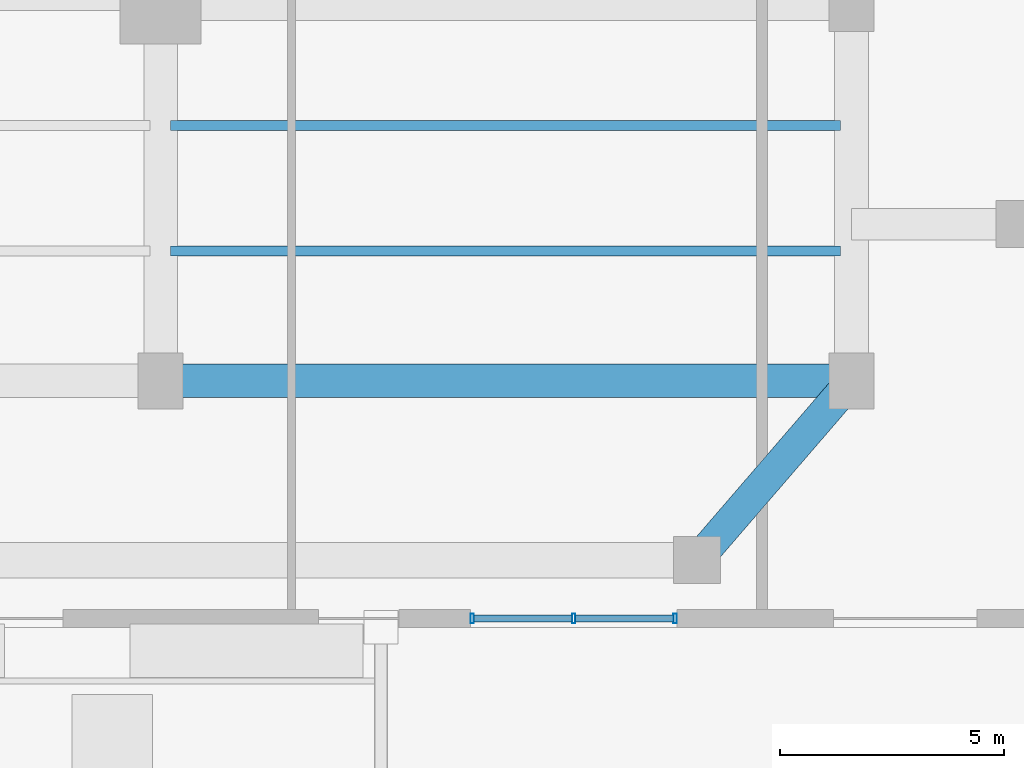
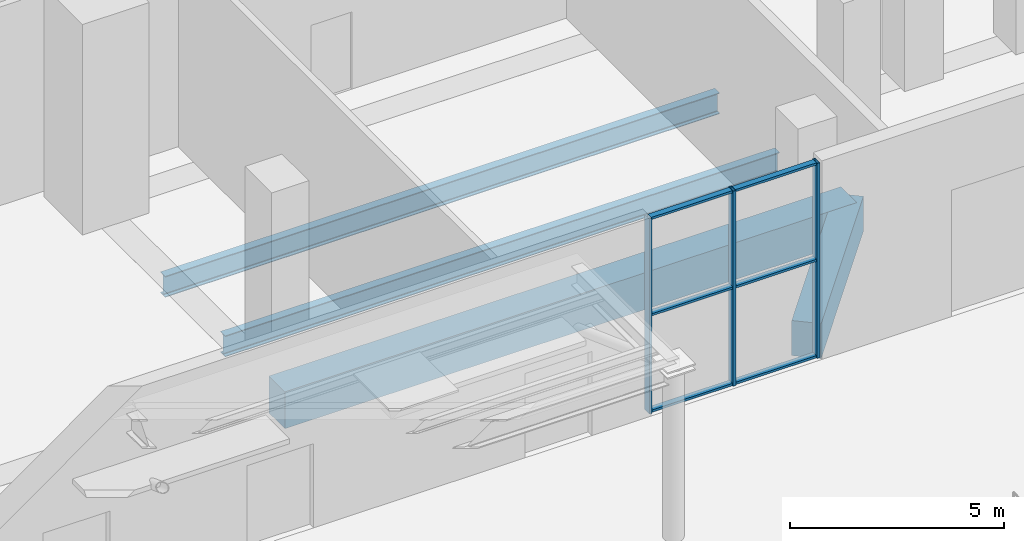
# One storey, part 10 of 25: 9 members, 4 beams, 1 element without a shape of its own.
"""IFC4 building model written with IfcOpenShell, lengths in metres."""

from ifc_helpers import new_model, si_unit, direction, frame, origin, origin_2d, place, context, subcontext, project, spatial, rectangle, hollow_rectangle, i_section, extrude, source, transform, mapped, material, layer, layer_set, material_profile, profile_set, type_object, element, aggregate, save


model = new_model("IFC4")

# Units and contexts
model_context = context("Model", 3, precision=1e-05, world=origin(), true_north=direction((0.0, 1.0)))
body_context = subcontext(model_context, "Body", "Model", "MODEL_VIEW")
ifc_project = project(units=[si_unit("LENGTHUNIT", "METRE"), si_unit("AREAUNIT", "SQUARE_METRE"), si_unit("VOLUMEUNIT", "CUBIC_METRE"), si_unit("PLANEANGLEUNIT", "RADIAN"), si_unit("MASSUNIT", "GRAM", prefix="KILO"), si_unit("THERMODYNAMICTEMPERATUREUNIT", "KELVIN")], contexts=[model_context])

# Site, building, storey
site_placement = place(None, origin())
site = spatial("IfcSite", under=ifc_project, at=site_placement, CompositionType="ELEMENT")
building_placement = place(site_placement, origin())
building = spatial("IfcBuilding", under=site, at=building_placement, Name="Kosmvard Interchange Tower", CompositionType="ELEMENT")
storey_placement = place(building_placement, origin())
storey = spatial("IfcBuildingStorey", under=building, at=storey_placement, Name="L00", CompositionType="ELEMENT", Elevation=0.0)

# Beams
ifc_material_1 = material(Name="Steel S355", Category="steel")
ifc_material_profile_1 = material_profile(ifc_material_1, i_section(OverallWidth=0.219970703125, OverallDepth=0.60009765625, WebThickness=0.011962890625, FlangeThickness=0.01904296875, FilletRadius=0.02392578125, at=origin_2d()), Name="IPE 600")
ifc_profile_set_1 = profile_set([ifc_material_profile_1], Name="Steel S355")
beam_type_1 = type_object("IfcBeamType", Name="Long-Span Floor Joist IPE 600 S355", PredefinedType="JOIST", material=ifc_profile_set_1)
shared_shape_1 = source(origin(), body_context, "Body", "SweptSolid", [
    extrude(i_section(OverallWidth=0.219970703125, OverallDepth=0.60009765625, WebThickness=0.011962890625, FlangeThickness=0.01904296875, FilletRadius=0.02392578125, at=origin_2d()), origin(), (0.0, 0.0, 1.0), 14.949951171875),
])
for number, where, z_axis, x_axis, name in (
    (1, (13.300048828125, -18.60009765625, -0.699951171875), (1.0, 0.0, 0.0), (0.0, 1.0, 0.0), "BM-L00-PJ04"),
    (2, (13.300048828125, -15.800048828125, -0.699951171875), (1.0, 0.0, 0.0), (0.0, 1.0, 0.0), "BM-L00-PJ08"),
):
    element("IfcBeam", number, at=place(storey_placement, frame(where, z_axis=z_axis, x_axis=x_axis)), inside=storey, type_object=beam_type_1, Name=name, PredefinedType="JOIST", context=body_context, shape_type="MappedRepresentation", body=[
        mapped(shared_shape_1, transform((0.0, 0.0, 0.0), scale=1.0)),
    ])
ifc_material_2 = material(Name="Concrete C60/75", Category="concrete")
ifc_material_profile_2 = material_profile(ifc_material_2, rectangle(XDim=0.75, YDim=1.050048828125, at=origin_2d()), Name="RCG 750x1050")
ifc_profile_set_2 = profile_set([ifc_material_profile_2], Name="Concrete C60/75")
beam_type_2 = type_object("IfcBeamType", Name="Concourse Mid-Span RC Girder 750x1050 C60/75", PredefinedType="BEAM", material=ifc_profile_set_2)
shared_shape_2 = source(origin(), body_context, "Body", "SweptSolid", [
    extrude(rectangle(XDim=0.75, YDim=1.050048828125, at=origin_2d()), origin(), (0.0, 0.0, 1.0), 15.4189453125),
])
beam_1_placement = place(storey_placement, frame((13.0810546875, -21.5, -0.52490234375), z_axis=(1.0, 0.0, 0.0), x_axis=(0.0, 1.0, 0.0)))
element("IfcBeam", 3, at=beam_1_placement, inside=storey, type_object=beam_type_2, Name="BM-L00-PG-S4", PredefinedType="BEAM", context=body_context, shape_type="MappedRepresentation", body=[
    mapped(shared_shape_2, transform((0.0, 0.0, 0.0), scale=1.0)),
])
ifc_material_profile_3 = material_profile(ifc_material_2, rectangle(XDim=0.699951171875, YDim=1.0, at=origin_2d()), Name="RCG 700x1000")
ifc_profile_set_3 = profile_set([ifc_material_profile_3], Name="Concrete C60/75")
beam_type_3 = type_object("IfcBeamType", Name="Concourse Primary RC Girder 700x1000 C60/75", PredefinedType="BEAM", material=ifc_profile_set_3)
shared_shape_3 = source(origin(), body_context, "Body", "SweptSolid", [
    extrude(rectangle(XDim=0.699951171875, YDim=1.0, at=origin_2d()), origin(), (0.0, 0.0, 1.0), 5.2822265625),
])
beam_2_placement = place(storey_placement, frame((25.050048828125, -25.5, -0.5), z_axis=(0.653121547432, 0.757253091298, 0.0), x_axis=(-0.757253091298, 0.653121547432, 0.0)))
element("IfcBeam", 4, at=beam_2_placement, inside=storey, type_object=beam_type_3, Name="BM-L00-PG-TSR", PredefinedType="BEAM", context=body_context, shape_type="MappedRepresentation", body=[
    mapped(shared_shape_3, transform((0.0, 0.0, 0.0), scale=1.0)),
])

# Curtain wall, members
ifc_material_3 = material(Name="Architectural anodised aluminium", Category="aluminium")
ifc_layer = layer(ifc_material_3, 0.219970703125, Name="Architectural anodised aluminium")
ifc_layer_set = layer_set([ifc_layer], Name="Architectural anodised aluminium")
curtain_wall_type = type_object("IfcCurtainWallType", Name="CW-1 Concourse Shopfront Curtain Wall", PredefinedType="NOTDEFINED", material=ifc_layer_set)
curtain_wall_placement = place(storey_placement, origin())
curtain_wall = element("IfcCurtainWall", 5, at=curtain_wall_placement, inside=storey, type_object=curtain_wall_type, Name="L00 Shopfront Curtain Wall CW1-S2", PredefinedType="NOTDEFINED")
ifc_material_profile_4 = material_profile(ifc_material_3, hollow_rectangle(XDim=0.219970703125, YDim=0.074951171875, WallThickness=0.0048828125, at=origin_2d()), Name="CWM 220x75x5")
ifc_profile_set_4 = profile_set([ifc_material_profile_4], Name="Architectural anodised aluminium")
member_type_1 = type_object("IfcMemberType", Name="Concourse CW Mullion 220x75 Aluminium", PredefinedType="MULLION", material=ifc_profile_set_4)
shared_shape_4 = source(origin(), body_context, "Body", "SweptSolid", [
    extrude(hollow_rectangle(XDim=0.219970703125, YDim=0.074951171875, WallThickness=0.0048828125, at=origin_2d()), origin(), (0.0, 0.0, 1.0), 5.56005859375),
])
member_1_placement = place(storey_placement, frame((20.03759765625, -26.800048828125, 0.0), z_axis=(0.0, 0.0, 1.0), x_axis=(0.0, 1.0, 0.0)))
member_1 = element("IfcMember", 6, at=member_1_placement, type_object=member_type_1, Name="CW-1 mullion 1", PredefinedType="MULLION", context=body_context, shape_type="MappedRepresentation", body=[
    mapped(shared_shape_4, transform((0.0, 0.0, 0.0), scale=1.0)),
])
member_2_placement = place(storey_placement, frame((22.300048828125, -26.800048828125, 0.0), z_axis=(0.0, 0.0, 1.0), x_axis=(0.0, 1.0, 0.0)))
member_2 = element("IfcMember", 7, at=member_2_placement, type_object=member_type_1, Name="CW-1 mullion 2", PredefinedType="MULLION", context=body_context, shape_type="MappedRepresentation", body=[
    mapped(shared_shape_4, transform((0.0, 0.0, 0.0), scale=1.0)),
])
member_3_placement = place(storey_placement, frame((24.5625, -26.800048828125, 0.0), z_axis=(0.0, 0.0, 1.0), x_axis=(0.0, 1.0, 0.0)))
member_3 = element("IfcMember", 8, at=member_3_placement, type_object=member_type_1, Name="CW-1 mullion 3", PredefinedType="MULLION", context=body_context, shape_type="MappedRepresentation", body=[
    mapped(shared_shape_4, transform((0.0, 0.0, 0.0), scale=1.0)),
])
ifc_material_profile_5 = material_profile(ifc_material_3, hollow_rectangle(XDim=0.159912109375, YDim=0.06494140625, WallThickness=0.00390625, at=origin_2d()), Name="CWT 160x65x4")
ifc_profile_set_5 = profile_set([ifc_material_profile_5], Name="Architectural anodised aluminium")
member_type_2 = type_object("IfcMemberType", Name="Standard CW Transom 160x65 Aluminium", PredefinedType="USERDEFINED", material=ifc_profile_set_5)
shared_shape_5 = source(origin(), body_context, "Body", "SweptSolid", [
    extrude(hollow_rectangle(XDim=0.159912109375, YDim=0.06494140625, WallThickness=0.00390625, at=origin_2d()), origin(), (0.0, 0.0, 1.0), 2.1875),
])
member_4_placement = place(storey_placement, frame((20.074951171875, -26.800048828125, 0.032470703125), z_axis=(1.0, 0.0, 0.0), x_axis=(0.0, 1.0, 0.0)))
member_4 = element("IfcMember", 9, at=member_4_placement, type_object=member_type_2, Name="CW-1 transom 1.1", ObjectType="TRANSOM", PredefinedType="USERDEFINED", context=body_context, shape_type="MappedRepresentation", body=[
    mapped(shared_shape_5, transform((0.0, 0.0, 0.0), scale=1.0)),
])
member_5_placement = place(storey_placement, frame((20.074951171875, -26.800048828125, 2.780029296875), z_axis=(1.0, 0.0, 0.0), x_axis=(0.0, 1.0, 0.0)))
member_5 = element("IfcMember", 10, at=member_5_placement, type_object=member_type_2, Name="CW-1 transom 1.2", ObjectType="TRANSOM", PredefinedType="USERDEFINED", context=body_context, shape_type="MappedRepresentation", body=[
    mapped(shared_shape_5, transform((0.0, 0.0, 0.0), scale=1.0)),
])
member_6_placement = place(storey_placement, frame((20.074951171875, -26.800048828125, 5.527587890625), z_axis=(1.0, 0.0, 0.0), x_axis=(0.0, 1.0, 0.0)))
member_6 = element("IfcMember", 11, at=member_6_placement, type_object=member_type_2, Name="CW-1 transom 1.3", ObjectType="TRANSOM", PredefinedType="USERDEFINED", context=body_context, shape_type="MappedRepresentation", body=[
    mapped(shared_shape_5, transform((0.0, 0.0, 0.0), scale=1.0)),
])
member_7_placement = place(storey_placement, frame((22.33740234375, -26.800048828125, 0.032470703125), z_axis=(1.0, 0.0, 0.0), x_axis=(0.0, 1.0, 0.0)))
member_7 = element("IfcMember", 12, at=member_7_placement, type_object=member_type_2, Name="CW-1 transom 2.1", ObjectType="TRANSOM", PredefinedType="USERDEFINED", context=body_context, shape_type="MappedRepresentation", body=[
    mapped(shared_shape_5, transform((0.0, 0.0, 0.0), scale=1.0)),
])
member_8_placement = place(storey_placement, frame((22.33740234375, -26.800048828125, 2.780029296875), z_axis=(1.0, 0.0, 0.0), x_axis=(0.0, 1.0, 0.0)))
member_8 = element("IfcMember", 13, at=member_8_placement, type_object=member_type_2, Name="CW-1 transom 2.2", ObjectType="TRANSOM", PredefinedType="USERDEFINED", context=body_context, shape_type="MappedRepresentation", body=[
    mapped(shared_shape_5, transform((0.0, 0.0, 0.0), scale=1.0)),
])
member_9_placement = place(storey_placement, frame((22.33740234375, -26.800048828125, 5.527587890625), z_axis=(1.0, 0.0, 0.0), x_axis=(0.0, 1.0, 0.0)))
member_9 = element("IfcMember", 14, at=member_9_placement, type_object=member_type_2, Name="CW-1 transom 2.3", ObjectType="TRANSOM", PredefinedType="USERDEFINED", context=body_context, shape_type="MappedRepresentation", body=[
    mapped(shared_shape_5, transform((0.0, 0.0, 0.0), scale=1.0)),
])
aggregate(curtain_wall, [member_1, member_2, member_3, member_4, member_5, member_6, member_7, member_8, member_9])

save(model, "model.ifc")
